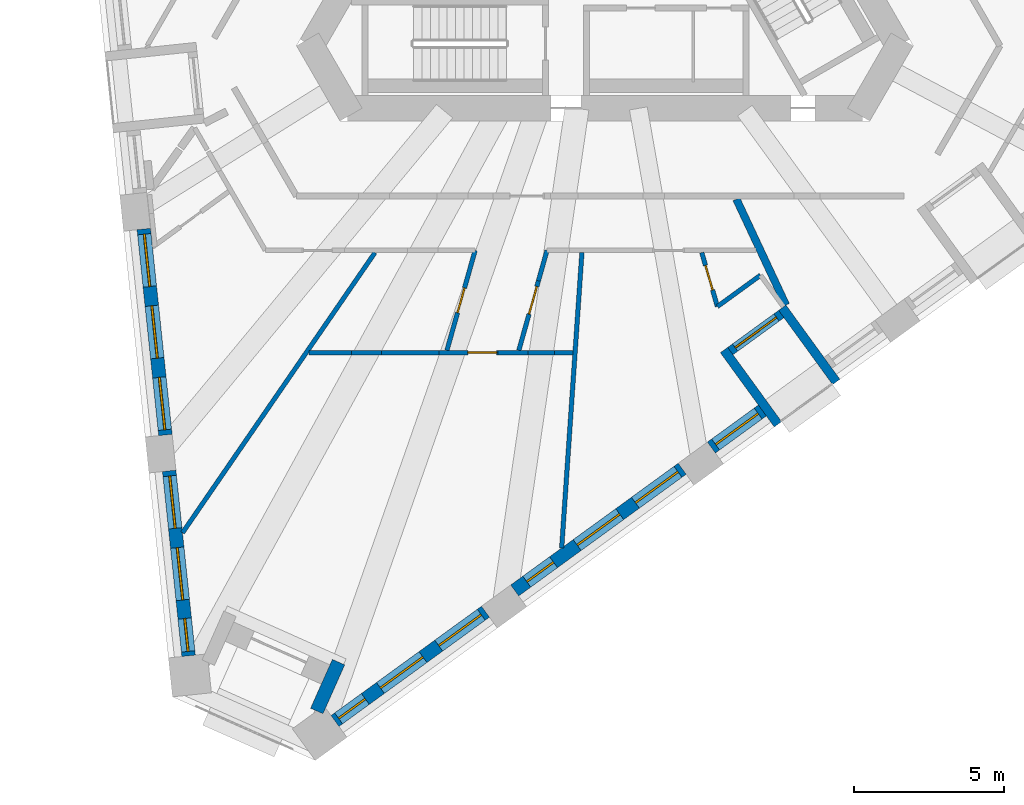
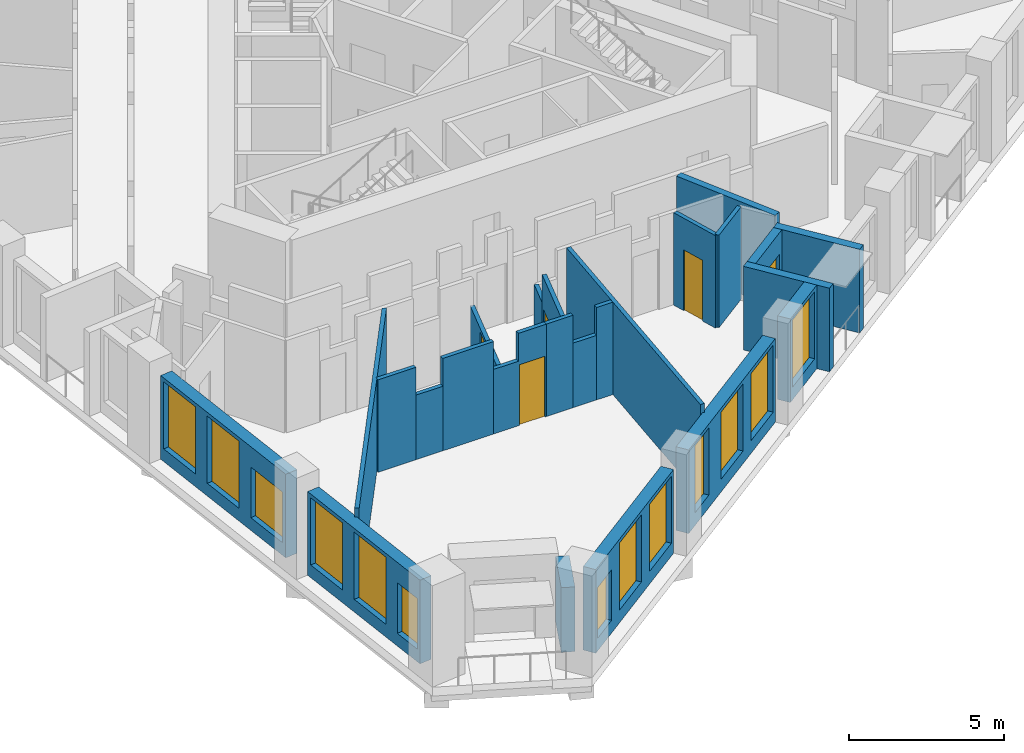
# One storey, part 2 of 14: 24 walls, 13 windows, 5 doors, 18 openings.
"""IFC4 building model written with IfcOpenShell, lengths in metres."""

import ifcopenshell
import ifcopenshell.guid

model = None  # the IFC model being written
_history = None  # IfcOwnerHistory: only IFC2X3 demands one
_inside = {}  # id of a spatial element -> (the spatial element, [elements in it])
_under = {}  # id of a project, library or spatial element -> (it, [spatial elements below it])
_declared = {}  # id of a project -> (the project, [libraries it declares])
_typed = {}  # id of a type object -> (the type object, [elements of that type])
_made_of = {}  # id of a material, layer set ... -> (it, [elements and type objects made of it])


def new_model(schema):
    """Start an empty IFC model of exactly this schema.

    Asked for "IFC4X3", IfcOpenShell would pick the latest addendum, in which some entities
    have other attributes; the version numbers below select the first issue.
    IFC2X3 requires an IfcOwnerHistory on every rooted entity: one is made here for all.
    """
    global model, _history
    if schema == "IFC4X3":
        model = ifcopenshell.file(schema_version=(4, 3, 0, 0))
    else:
        model = ifcopenshell.file(schema=schema)
    _inside.clear()
    _under.clear()
    _declared.clear()
    _typed.clear()
    _made_of.clear()
    _history = None
    if model.schema == "IFC2X3":
        org = make("IfcOrganization", Name="unknown")
        user = make(
            "IfcPersonAndOrganization",
            ThePerson=make("IfcPerson", FamilyName="unknown"),
            TheOrganization=org,
        )
        app = make(
            "IfcApplication",
            ApplicationDeveloper=org,
            Version="unknown",
            ApplicationFullName="unknown",
            ApplicationIdentifier="unknown",
        )
        _history = make(
            "IfcOwnerHistory",
            OwningUser=user,
            OwningApplication=app,
            ChangeAction="ADDED",
            CreationDate=0,
        )
    return model


def make(cls, **values):
    """One entity of the class cls with the attributes given. An attribute that is None is left unset."""
    return model.create_entity(
        cls, **{name: value for name, value in values.items() if value is not None}
    )


def rooted(cls, **values):
    """An entity with a GlobalId (a new one), such as an element, a storey or a relation."""
    return make(cls, GlobalId=ifcopenshell.guid.new(), OwnerHistory=_history, **values)


def si_unit(unit_type, name, prefix=None):
    """IfcSIUnit, for example si_unit("LENGTHUNIT", "METRE", prefix="MILLI")."""
    return make("IfcSIUnit", UnitType=unit_type, Prefix=prefix, Name=name)


def assignment(units):
    """IfcUnitAssignment: the units of a project."""
    return None if units is None else make("IfcUnitAssignment", Units=units)


def point(xyz):
    """IfcCartesianPoint."""
    return None if xyz is None else make("IfcCartesianPoint", Coordinates=xyz)


def direction(xyz):
    """IfcDirection."""
    return None if xyz is None else make("IfcDirection", DirectionRatios=xyz)


def frame(location, z_axis=None, x_axis=None):
    """IfcAxis2Placement3D, a coordinate frame: its origin and axes. An axis left out is left unset."""
    return make(
        "IfcAxis2Placement3D",
        Location=point(location),
        Axis=direction(z_axis),
        RefDirection=direction(x_axis),
    )


def frame_2d(location, x_axis=None):
    """IfcAxis2Placement2D, a coordinate frame in the plane: its origin and x axis."""
    return make(
        "IfcAxis2Placement2D", Location=point(location), RefDirection=direction(x_axis)
    )


def origin():
    """The frame at (0, 0, 0) with its axes left unset."""
    return frame((0.0, 0.0, 0.0))


def place(relative_to, where):
    """IfcLocalPlacement: puts the frame where relative to a parent placement (None: the world)."""
    return make(
        "IfcLocalPlacement", PlacementRelTo=relative_to, RelativePlacement=where
    )


def context(
    kind, dimensions, precision=None, world=None, true_north=None, identifier=None
):
    """IfcGeometricRepresentationContext, for example the 3D "Model" context."""
    return make(
        "IfcGeometricRepresentationContext",
        ContextIdentifier=identifier,
        ContextType=kind,
        CoordinateSpaceDimension=dimensions,
        Precision=precision,
        WorldCoordinateSystem=world,
        TrueNorth=true_north,
    )


def subcontext(parent, identifier, kind, view, scale=None):
    """IfcGeometricRepresentationSubContext, for example "Body" below "Model"."""
    return make(
        "IfcGeometricRepresentationSubContext",
        ContextIdentifier=identifier,
        ContextType=kind,
        ParentContext=parent,
        TargetScale=scale,
        TargetView=view,
    )


def project(units=None, contexts=None):
    """IfcProject with its units and contexts."""
    return rooted(
        "IfcProject",
        Name="project",
        RepresentationContexts=contexts,
        UnitsInContext=assignment(units),
    )


def spatial(cls, under=None, at=None, **own):
    """A site, building, storey or space (cls), placed at a placement, below another one or the project."""
    s = rooted(cls, ObjectPlacement=at, **own)
    if under is not None:
        _under.setdefault(under.id(), (under, []))[1].append(s)
    return s


def polyline(points):
    """IfcPolyline through the points."""
    return make("IfcPolyline", Points=[point(p) for p in points])


def profile(cls, at=None, kind="AREA", **sizes):
    """A parametric profile (cls). Its sizes go by their IFC names, for example OverallWidth=200.0."""
    return make(cls, ProfileType=kind, Position=at, **sizes)


def rectangle(**sizes):
    """IfcRectangleProfileDef."""
    return profile("IfcRectangleProfileDef", **sizes)


def outline(outer, holes=None, kind="AREA"):
    """IfcArbitraryClosedProfileDef: a profile drawn as a closed curve; with holes, ...WithVoids."""
    if holes is None:
        return make("IfcArbitraryClosedProfileDef", ProfileType=kind, OuterCurve=outer)
    return make(
        "IfcArbitraryProfileDefWithVoids",
        ProfileType=kind,
        OuterCurve=outer,
        InnerCurves=holes,
    )


def extrude(swept, where, along, depth):
    """IfcExtrudedAreaSolid: the profile swept, set in the frame where, extruded along a direction by depth."""
    return make(
        "IfcExtrudedAreaSolid",
        SweptArea=swept,
        Position=where,
        ExtrudedDirection=direction(along),
        Depth=depth,
    )


def shape(context_of_items, identifier, shape_type, items):
    """IfcShapeRepresentation: the items that make up one representation, for example the "Body"."""
    return make(
        "IfcShapeRepresentation",
        ContextOfItems=context_of_items,
        RepresentationIdentifier=identifier,
        RepresentationType=shape_type,
        Items=items,
    )


def material(Name=None, Category=None):
    """IfcMaterial."""
    return make("IfcMaterial", Name=Name, Category=Category)


def layer(
    of_material, thickness, ventilated=None, Name=None, Category=None, Priority=None
):
    """IfcMaterialLayer: one layer of a wall or slab, of a material (None: an air gap)."""
    return make(
        "IfcMaterialLayer",
        Material=of_material,
        LayerThickness=thickness,
        IsVentilated=ventilated,
        Name=Name,
        Category=Category,
        Priority=Priority,
    )


def layer_set(layers, Name=None):
    """IfcMaterialLayerSet."""
    return make("IfcMaterialLayerSet", MaterialLayers=layers, LayerSetName=Name)


def made_of(thing, what):
    """Note that an element or type object is made of a material, layer set ...; save() writes the relation."""
    if what is not None:
        _made_of.setdefault(what.id(), (what, []))[1].append(thing)
    return thing


def type_object(cls, material=None, **own):
    """A type object (cls), such as IfcWallType, which elements share."""
    return made_of(rooted(cls, **own), material)


def element(
    cls,
    number,
    at=None,
    inside=None,
    cuts=None,
    type_object=None,
    material=None,
    context=None,
    identifier="Body",
    shape_type=None,
    held_by="IfcProductDefinitionShape",
    body=None,
    shapes=None,
    **own,
):
    """One element of the class cls, such as IfcWall. Its Tag is "e" and its number.

    at: its placement. inside: the storey or other place that contains it. cuts: it is an
    opening in that element (IfcRelVoidsElement). A single representation is given by context,
    identifier, shape_type and body (its items); several are given by shapes. held_by: the class
    of the entity that holds the representations. save() writes the other relations.
    """
    e = rooted(cls, Tag="e%d" % number, ObjectPlacement=at, **own)
    if body is not None:
        shapes = [shape(context, identifier, shape_type, body)]
    if shapes is not None:
        e.Representation = make(held_by, Representations=shapes)
    if inside is not None:
        _inside.setdefault(inside.id(), (inside, []))[1].append(e)
    if cuts is not None:
        rooted(
            "IfcRelVoidsElement", RelatingBuildingElement=cuts, RelatedOpeningElement=e
        )
    if type_object is not None:
        _typed.setdefault(type_object.id(), (type_object, []))[1].append(e)
    return made_of(e, material)


def fill(opening, filler):
    """IfcRelFillsElement: the door or window that sits in an opening."""
    return rooted(
        "IfcRelFillsElement",
        RelatingOpeningElement=opening,
        RelatedBuildingElement=filler,
    )


def aggregate(whole, parts):
    """IfcRelAggregates: a whole, such as a stair, and the parts it consists of."""
    return rooted("IfcRelAggregates", RelatingObject=whole, RelatedObjects=parts)


def save(model, path):
    """Write the relations noted so far, then the file.

    IfcRelAggregates (storeys below a building ...), IfcRelContainedInSpatialStructure (elements
    in a storey), IfcRelDefinesByType, IfcRelAssociatesMaterial and IfcRelDeclares: one each for
    every whole, place, type object, material and project.
    """
    for whole, parts in _under.values():
        aggregate(whole, parts)
    for where, things in _inside.values():
        rooted(
            "IfcRelContainedInSpatialStructure",
            RelatedElements=things,
            RelatingStructure=where,
        )
    for kind, things in _typed.values():
        rooted("IfcRelDefinesByType", RelatedObjects=things, RelatingType=kind)
    for what, things in _made_of.values():
        rooted("IfcRelAssociatesMaterial", RelatedObjects=things, RelatingMaterial=what)
    for by, libraries in _declared.values():
        rooted("IfcRelDeclares", RelatingContext=by, RelatedDefinitions=libraries)
    model.write(path)


model = new_model("IFC4")

# Units and contexts
model_context = context("Model", 3, precision=1e-05, world=origin(), true_north=direction((0.0, 1.0)))
body_context = subcontext(model_context, "Body", "Model", "MODEL_VIEW")
ifc_project = project(units=[si_unit("LENGTHUNIT", "METRE"), si_unit("AREAUNIT", "SQUARE_METRE"), si_unit("VOLUMEUNIT", "CUBIC_METRE"), si_unit("PLANEANGLEUNIT", "RADIAN"), si_unit("MASSUNIT", "GRAM", prefix="KILO")], contexts=[model_context])

# Site, building, storey
site_placement = place(None, origin())
site = spatial("IfcSite", under=ifc_project, at=site_placement, CompositionType="ELEMENT")
building_placement = place(site_placement, origin())
building = spatial("IfcBuilding", under=site, at=building_placement, Name="Tramontana Tower", CompositionType="ELEMENT")
storey_placement = place(building_placement, frame((0.0, 0.0, 178.800048828125)))
storey = spatial("IfcBuildingStorey", under=building, at=storey_placement, Name="L41", CompositionType="ELEMENT", Elevation=178.800048828125)

# Wall, openings, windows
ifc_material_1 = material(Name="Precast concrete 60 MPa", Category="concrete")
ifc_layer_1 = layer(ifc_material_1, 0.449951171875)
ifc_layer_set_1 = layer_set([ifc_layer_1], Name="Precast concrete 60 MPa, 450 mm")
wall_type_1 = type_object("IfcWallType", Name="EW1 Stone-faced precast wall 450", PredefinedType="SOLIDWALL", material=ifc_layer_set_1)
wall_1_placement = place(storey_placement, frame((-15.327880859375, -10.341796875, 0.0), z_axis=(0.0, 0.0, 1.0), x_axis=(0.104531531326, -0.994521572898, 0.0)))
wall_1 = element("IfcWall", 1, at=wall_1_placement, inside=storey, type_object=wall_type_1, Name="External wall L41 face 0 bay 5", PredefinedType="SOLIDWALL", context=body_context, shape_type="SweptSolid", body=[
    extrude(rectangle(XDim=6.8828125, YDim=0.449951171875, at=frame_2d((3.44140625, 0.0))), origin(), (0.0, 0.0, 1.0), 3.300048828125),
])
opening_1_placement = place(wall_1_placement, frame((0.172119140625, 0.0, 0.5)))
opening_1 = element("IfcOpeningElement", 2, at=opening_1_placement, cuts=wall_1, Name="Opening M2", PredefinedType="OPENING", context=body_context, shape_type="SweptSolid", body=[
    extrude(rectangle(XDim=1.75, YDim=2.64990234375, at=frame_2d((0.875, 1.324951171875))), frame((0.0, 0.23486328125, 0.0), z_axis=(0.0, -1.0, 0.0), x_axis=(1.0, 0.0, 0.0)), (0.0, 0.0, 1.0), 0.469970703125),
])
opening_2_placement = place(wall_1_placement, frame((2.56640625, 0.0, 0.5)))
opening_2 = element("IfcOpeningElement", 3, at=opening_2_placement, cuts=wall_1, Name="Opening M2", PredefinedType="OPENING", context=body_context, shape_type="SweptSolid", body=[
    extrude(rectangle(XDim=1.75, YDim=2.64990234375, at=frame_2d((0.875, 1.324951171875))), frame((0.0, 0.23486328125, 0.0), z_axis=(0.0, -1.0, 0.0), x_axis=(1.0, 0.0, 0.0)), (0.0, 0.0, 1.0), 0.469970703125),
])
opening_3_placement = place(wall_1_placement, frame((4.960693359375, 0.0, 0.5)))
opening_3 = element("IfcOpeningElement", 4, at=opening_3_placement, cuts=wall_1, Name="Opening M2L", PredefinedType="OPENING", context=body_context, shape_type="SweptSolid", body=[
    extrude(rectangle(XDim=1.75, YDim=2.0, at=frame_2d((0.875, 1.0))), frame((0.0, 0.23486328125, 0.0), z_axis=(0.0, -1.0, 0.0), x_axis=(1.0, 0.0, 0.0)), (0.0, 0.0, 1.0), 0.469970703125),
])
ifc_material_2 = material(Name="Aluminum frame, double glazing unit", Category="aluminium")
window_type_1 = type_object("IfcWindowType", Name="M2 Window 1.75 x 2.65", PartitioningType="SINGLE_PANEL", PredefinedType="WINDOW", material=ifc_material_2)
window_1_placement = place(opening_1_placement, origin())
window_1 = element("IfcWindow", 5, at=window_1_placement, inside=storey, type_object=window_type_1, Name="Window M2 L41 face 0 module 13", OverallHeight=2.64990234375, OverallWidth=1.75, PartitioningType="SINGLE_PANEL", PredefinedType="WINDOW", context=body_context, shape_type="SweptSolid", body=[
    extrude(rectangle(XDim=1.75, YDim=2.64990234375, at=frame_2d((0.875, 1.324951171875))), frame((0.0, 0.030029296875, 0.0), z_axis=(0.0, -1.0, 0.0), x_axis=(1.0, 0.0, 0.0)), (0.0, 0.0, 1.0), 0.06005859375),
])
fill(opening_1, window_1)
window_2_placement = place(opening_2_placement, origin())
window_2 = element("IfcWindow", 6, at=window_2_placement, inside=storey, type_object=window_type_1, Name="Window M2 L41 face 0 module 14", OverallHeight=2.64990234375, OverallWidth=1.75, PartitioningType="SINGLE_PANEL", PredefinedType="WINDOW", context=body_context, shape_type="SweptSolid", body=[
    extrude(rectangle(XDim=1.75, YDim=2.64990234375, at=frame_2d((0.875, 1.324951171875))), frame((0.0, 0.030029296875, 0.0), z_axis=(0.0, -1.0, 0.0), x_axis=(1.0, 0.0, 0.0)), (0.0, 0.0, 1.0), 0.06005859375),
])
fill(opening_2, window_2)
ifc_material_3 = material(Name="Aluminum frame, double glazing unit", Category="aluminium")
window_type_2 = type_object("IfcWindowType", Name="M2L Window 1.75 x 2", PartitioningType="SINGLE_PANEL", PredefinedType="WINDOW", material=ifc_material_3)
window_3_placement = place(opening_3_placement, origin())
window_3 = element("IfcWindow", 7, at=window_3_placement, inside=storey, type_object=window_type_2, Name="Window M2L L41 face 0 module 15", OverallHeight=2.0, OverallWidth=1.75, PartitioningType="SINGLE_PANEL", PredefinedType="WINDOW", context=body_context, shape_type="SweptSolid", body=[
    extrude(rectangle(XDim=1.75, YDim=2.0, at=frame_2d((0.875, 1.0))), frame((0.0, 0.030029296875, 0.0), z_axis=(0.0, -1.0, 0.0), x_axis=(1.0, 0.0, 0.0)), (0.0, 0.0, 1.0), 0.06005859375),
])
fill(opening_3, window_3)

wall_2_placement = place(storey_placement, frame((-14.483154296875, -18.38037109375, 0.0), z_axis=(0.0, 0.0, 1.0), x_axis=(0.104557348575, -0.994518858976, 0.0)))
wall_2 = element("IfcWall", 8, at=wall_2_placement, inside=storey, type_object=wall_type_1, Name="External wall L41 face 0 bay 6", PredefinedType="SOLIDWALL", context=body_context, shape_type="SweptSolid", body=[
    extrude(rectangle(XDim=6.18310546875, YDim=0.449951171875, at=frame_2d((3.091552734375, 0.0))), origin(), (0.0, 0.0, 1.0), 3.300048828125),
])
opening_4_placement = place(wall_2_placement, frame((0.172119140625, 0.0, 0.5)))
opening_4 = element("IfcOpeningElement", 9, at=opening_4_placement, cuts=wall_2, Name="Opening M2", PredefinedType="OPENING", context=body_context, shape_type="SweptSolid", body=[
    extrude(rectangle(XDim=1.75, YDim=2.64990234375, at=frame_2d((0.875, 1.324951171875))), frame((0.0, 0.23486328125, 0.0), z_axis=(0.0, -1.0, 0.0), x_axis=(1.0, 0.0, 0.0)), (0.0, 0.0, 1.0), 0.469970703125),
])
opening_5_placement = place(wall_2_placement, frame((2.56640625, 0.0, 0.5)))
opening_5 = element("IfcOpeningElement", 10, at=opening_5_placement, cuts=wall_2, Name="Opening M2", PredefinedType="OPENING", context=body_context, shape_type="SweptSolid", body=[
    extrude(rectangle(XDim=1.75, YDim=2.64990234375, at=frame_2d((0.875, 1.324951171875))), frame((0.0, 0.23486328125, 0.0), z_axis=(0.0, -1.0, 0.0), x_axis=(1.0, 0.0, 0.0)), (0.0, 0.0, 1.0), 0.469970703125),
])
opening_6_placement = place(wall_2_placement, frame((4.935791015625, 0.0, 0.5)))
opening_6 = element("IfcOpeningElement", 11, at=opening_6_placement, cuts=wall_2, Name="Opening N2L", PredefinedType="OPENING", context=body_context, shape_type="SweptSolid", body=[
    extrude(rectangle(XDim=1.10009765625, YDim=2.0, at=frame_2d((0.550048828125, 1.0))), frame((0.0, 0.23486328125, 0.0), z_axis=(0.0, -1.0, 0.0), x_axis=(1.0, 0.0, 0.0)), (0.0, 0.0, 1.0), 0.469970703125),
])
window_4_placement = place(opening_4_placement, origin())
window_4 = element("IfcWindow", 12, at=window_4_placement, inside=storey, type_object=window_type_1, Name="Window M2 L41 face 0 module 16", OverallHeight=2.64990234375, OverallWidth=1.75, PartitioningType="SINGLE_PANEL", PredefinedType="WINDOW", context=body_context, shape_type="SweptSolid", body=[
    extrude(rectangle(XDim=1.75, YDim=2.64990234375, at=frame_2d((0.875, 1.324951171875))), frame((0.0, 0.030029296875, 0.0), z_axis=(0.0, -1.0, 0.0), x_axis=(1.0, 0.0, 0.0)), (0.0, 0.0, 1.0), 0.06005859375),
])
fill(opening_4, window_4)
window_5_placement = place(opening_5_placement, origin())
window_5 = element("IfcWindow", 13, at=window_5_placement, inside=storey, type_object=window_type_1, Name="Window M2 L41 face 0 module 17", OverallHeight=2.64990234375, OverallWidth=1.75, PartitioningType="SINGLE_PANEL", PredefinedType="WINDOW", context=body_context, shape_type="SweptSolid", body=[
    extrude(rectangle(XDim=1.75, YDim=2.64990234375, at=frame_2d((0.875, 1.324951171875))), frame((0.0, 0.030029296875, 0.0), z_axis=(0.0, -1.0, 0.0), x_axis=(1.0, 0.0, 0.0)), (0.0, 0.0, 1.0), 0.06005859375),
])
fill(opening_5, window_5)
ifc_material_4 = material(Name="Aluminum frame, double glazing unit", Category="aluminium")
window_type_3 = type_object("IfcWindowType", Name="N2L Window 1.1 x 2", PartitioningType="SINGLE_PANEL", PredefinedType="WINDOW", material=ifc_material_4)
window_6_placement = place(opening_6_placement, origin())
window_6 = element("IfcWindow", 14, at=window_6_placement, inside=storey, type_object=window_type_3, Name="Window N2L L41 face 0 module 18", OverallHeight=2.0, OverallWidth=1.10009765625, PartitioningType="SINGLE_PANEL", PredefinedType="WINDOW", context=body_context, shape_type="SweptSolid", body=[
    extrude(rectangle(XDim=1.10009765625, YDim=2.0, at=frame_2d((0.550048828125, 1.0))), frame((0.0, 0.030029296875, 0.0), z_axis=(0.0, -1.0, 0.0), x_axis=(1.0, 0.0, 0.0)), (0.0, 0.0, 1.0), 0.06005859375),
])
fill(opening_6, window_6)

wall_3_placement = place(storey_placement, frame((-8.97021484375, -26.696044921875, 0.0), z_axis=(0.0, 0.0, 1.0), x_axis=(0.809024567544, 0.587774828578, 0.0)))
wall_3 = element("IfcWall", 15, at=wall_3_placement, inside=storey, type_object=wall_type_1, Name="External wall L41 face 1 bay 1", PredefinedType="SOLIDWALL", context=body_context, shape_type="SweptSolid", body=[
    extrude(rectangle(XDim=6.1826171875, YDim=0.449951171875, at=frame_2d((3.09130859375, 0.0))), origin(), (0.0, 0.0, 1.0), 3.300048828125),
])
opening_7_placement = place(wall_3_placement, frame((0.147216796875, 0.0, 0.5)))
opening_7 = element("IfcOpeningElement", 16, at=opening_7_placement, cuts=wall_3, Name="Opening N2L", PredefinedType="OPENING", context=body_context, shape_type="SweptSolid", body=[
    extrude(rectangle(XDim=1.10009765625, YDim=2.0, at=frame_2d((0.550048828125, 1.0))), frame((0.0, 0.23486328125, 0.0), z_axis=(0.0, -1.0, 0.0), x_axis=(1.0, 0.0, 0.0)), (0.0, 0.0, 1.0), 0.469970703125),
])
opening_8_placement = place(wall_3_placement, frame((1.866455078125, 0.0, 0.5)))
opening_8 = element("IfcOpeningElement", 17, at=opening_8_placement, cuts=wall_3, Name="Opening M2", PredefinedType="OPENING", context=body_context, shape_type="SweptSolid", body=[
    extrude(rectangle(XDim=1.75, YDim=2.64990234375, at=frame_2d((0.875, 1.324951171875))), frame((0.0, 0.23486328125, 0.0), z_axis=(0.0, -1.0, 0.0), x_axis=(1.0, 0.0, 0.0)), (0.0, 0.0, 1.0), 0.469970703125),
])
opening_9_placement = place(wall_3_placement, frame((4.2607421875, 0.0, 0.5)))
opening_9 = element("IfcOpeningElement", 18, at=opening_9_placement, cuts=wall_3, Name="Opening M2", PredefinedType="OPENING", context=body_context, shape_type="SweptSolid", body=[
    extrude(rectangle(XDim=1.75, YDim=2.64990234375, at=frame_2d((0.875, 1.324951171875))), frame((0.0, 0.23486328125, 0.0), z_axis=(0.0, -1.0, 0.0), x_axis=(1.0, 0.0, 0.0)), (0.0, 0.0, 1.0), 0.469970703125),
])
window_7_placement = place(opening_8_placement, origin())
window_7 = element("IfcWindow", 19, at=window_7_placement, inside=storey, type_object=window_type_1, Name="Window M2 L41 face 1 module 2", OverallHeight=2.64990234375, OverallWidth=1.75, PartitioningType="SINGLE_PANEL", PredefinedType="WINDOW", context=body_context, shape_type="SweptSolid", body=[
    extrude(rectangle(XDim=1.75, YDim=2.64990234375, at=frame_2d((0.875, 1.324951171875))), frame((0.0, 0.030029296875, 0.0), z_axis=(0.0, -1.0, 0.0), x_axis=(1.0, 0.0, 0.0)), (0.0, 0.0, 1.0), 0.06005859375),
])
fill(opening_8, window_7)
window_8_placement = place(opening_9_placement, origin())
window_8 = element("IfcWindow", 20, at=window_8_placement, inside=storey, type_object=window_type_1, Name="Window M2 L41 face 1 module 3", OverallHeight=2.64990234375, OverallWidth=1.75, PartitioningType="SINGLE_PANEL", PredefinedType="WINDOW", context=body_context, shape_type="SweptSolid", body=[
    extrude(rectangle(XDim=1.75, YDim=2.64990234375, at=frame_2d((0.875, 1.324951171875))), frame((0.0, 0.030029296875, 0.0), z_axis=(0.0, -1.0, 0.0), x_axis=(1.0, 0.0, 0.0)), (0.0, 0.0, 1.0), 0.06005859375),
])
fill(opening_9, window_8)
window_9_placement = place(opening_7_placement, origin())
window_9 = element("IfcWindow", 21, at=window_9_placement, inside=storey, type_object=window_type_3, Name="Window N2L L41 face 1 module 1", OverallHeight=2.0, OverallWidth=1.10009765625, PartitioningType="SINGLE_PANEL", PredefinedType="WINDOW", context=body_context, shape_type="SweptSolid", body=[
    extrude(rectangle(XDim=1.10009765625, YDim=2.0, at=frame_2d((0.550048828125, 1.0))), frame((0.0, 0.030029296875, 0.0), z_axis=(0.0, -1.0, 0.0), x_axis=(1.0, 0.0, 0.0)), (0.0, 0.0, 1.0), 0.06005859375),
])
fill(opening_7, window_9)

wall_4_placement = place(storey_placement, frame((-2.997314453125, -22.3564453125, 0.0), z_axis=(0.0, 0.0, 1.0), x_axis=(0.809016690404, 0.587785670672, 0.0)))
wall_4 = element("IfcWall", 22, at=wall_4_placement, inside=storey, type_object=wall_type_1, Name="External wall L41 face 1 bay 2", PredefinedType="SOLIDWALL", context=body_context, shape_type="SweptSolid", body=[
    extrude(rectangle(XDim=6.8828125, YDim=0.449951171875, at=frame_2d((3.44140625, 0.0))), origin(), (0.0, 0.0, 1.0), 3.300048828125),
])
opening_10_placement = place(wall_4_placement, frame((0.4970703125, 0.0, 0.5)))
opening_10 = element("IfcOpeningElement", 23, at=opening_10_placement, cuts=wall_4, Name="Opening N2", PredefinedType="OPENING", context=body_context, shape_type="SweptSolid", body=[
    extrude(rectangle(XDim=1.10009765625, YDim=2.64990234375, at=frame_2d((0.550048828125, 1.324951171875))), frame((0.0, 0.23486328125, 0.0), z_axis=(0.0, -1.0, 0.0), x_axis=(1.0, 0.0, 0.0)), (0.0, 0.0, 1.0), 0.469970703125),
])
opening_11_placement = place(wall_4_placement, frame((2.56640625, 0.0, 0.5)))
opening_11 = element("IfcOpeningElement", 24, at=opening_11_placement, cuts=wall_4, Name="Opening M2", PredefinedType="OPENING", context=body_context, shape_type="SweptSolid", body=[
    extrude(rectangle(XDim=1.75, YDim=2.64990234375, at=frame_2d((0.875, 1.324951171875))), frame((0.0, 0.23486328125, 0.0), z_axis=(0.0, -1.0, 0.0), x_axis=(1.0, 0.0, 0.0)), (0.0, 0.0, 1.0), 0.469970703125),
])
opening_12_placement = place(wall_4_placement, frame((4.960693359375, 0.0, 0.5)))
opening_12 = element("IfcOpeningElement", 25, at=opening_12_placement, cuts=wall_4, Name="Opening M2", PredefinedType="OPENING", context=body_context, shape_type="SweptSolid", body=[
    extrude(rectangle(XDim=1.75, YDim=2.64990234375, at=frame_2d((0.875, 1.324951171875))), frame((0.0, 0.23486328125, 0.0), z_axis=(0.0, -1.0, 0.0), x_axis=(1.0, 0.0, 0.0)), (0.0, 0.0, 1.0), 0.469970703125),
])
window_10_placement = place(opening_11_placement, origin())
window_10 = element("IfcWindow", 26, at=window_10_placement, inside=storey, type_object=window_type_1, Name="Window M2 L41 face 1 module 5", OverallHeight=2.64990234375, OverallWidth=1.75, PartitioningType="SINGLE_PANEL", PredefinedType="WINDOW", context=body_context, shape_type="SweptSolid", body=[
    extrude(rectangle(XDim=1.75, YDim=2.64990234375, at=frame_2d((0.875, 1.324951171875))), frame((0.0, 0.030029296875, 0.0), z_axis=(0.0, -1.0, 0.0), x_axis=(1.0, 0.0, 0.0)), (0.0, 0.0, 1.0), 0.06005859375),
])
fill(opening_11, window_10)
window_11_placement = place(opening_12_placement, origin())
window_11 = element("IfcWindow", 27, at=window_11_placement, inside=storey, type_object=window_type_1, Name="Window M2 L41 face 1 module 6", OverallHeight=2.64990234375, OverallWidth=1.75, PartitioningType="SINGLE_PANEL", PredefinedType="WINDOW", context=body_context, shape_type="SweptSolid", body=[
    extrude(rectangle(XDim=1.75, YDim=2.64990234375, at=frame_2d((0.875, 1.324951171875))), frame((0.0, 0.030029296875, 0.0), z_axis=(0.0, -1.0, 0.0), x_axis=(1.0, 0.0, 0.0)), (0.0, 0.0, 1.0), 0.06005859375),
])
fill(opening_12, window_11)
ifc_material_5 = material(Name="Aluminum frame, double glazing unit", Category="aluminium")
window_type_4 = type_object("IfcWindowType", Name="N2 Window 1.1 x 2.65", PartitioningType="SINGLE_PANEL", PredefinedType="WINDOW", material=ifc_material_5)
window_12_placement = place(opening_10_placement, origin())
window_12 = element("IfcWindow", 28, at=window_12_placement, inside=storey, type_object=window_type_4, Name="Window N2 L41 face 1 module 4", OverallHeight=2.64990234375, OverallWidth=1.10009765625, PartitioningType="SINGLE_PANEL", PredefinedType="WINDOW", context=body_context, shape_type="SweptSolid", body=[
    extrude(rectangle(XDim=1.10009765625, YDim=2.64990234375, at=frame_2d((0.550048828125, 1.324951171875))), frame((0.0, 0.030029296875, 0.0), z_axis=(0.0, -1.0, 0.0), x_axis=(1.0, 0.0, 0.0)), (0.0, 0.0, 1.0), 0.06005859375),
])
fill(opening_10, window_12)

# Wall, opening, window
wall_5_placement = place(storey_placement, frame((3.541748046875, -17.60546875, 0.0), z_axis=(0.0, 0.0, 1.0), x_axis=(0.809028366311, 0.587769599847, 0.0)))
wall_5 = element("IfcWall", 29, at=wall_5_placement, inside=storey, type_object=wall_type_1, Name="External wall L41 face 1 bay 3", PredefinedType="SOLIDWALL", context=body_context, shape_type="SweptSolid", body=[
    extrude(rectangle(XDim=2.09423828125, YDim=0.449951171875, at=frame_2d((1.047119140625, 0.0))), origin(), (0.0, 0.0, 1.0), 3.300048828125),
])
opening_13_placement = place(wall_5_placement, frame((0.172119140625, 0.0, 0.5)))
opening_13 = element("IfcOpeningElement", 30, at=opening_13_placement, cuts=wall_5, Name="Opening M2", PredefinedType="OPENING", context=body_context, shape_type="SweptSolid", body=[
    extrude(rectangle(XDim=1.75, YDim=2.64990234375, at=frame_2d((0.875, 1.324951171875))), frame((0.0, 0.23486328125, 0.0), z_axis=(0.0, -1.0, 0.0), x_axis=(1.0, 0.0, 0.0)), (0.0, 0.0, 1.0), 0.469970703125),
])
window_13_placement = place(opening_13_placement, origin())
window_13 = element("IfcWindow", 31, at=window_13_placement, inside=storey, type_object=window_type_1, Name="Window M2 L41 face 1 module 7", OverallHeight=2.64990234375, OverallWidth=1.75, PartitioningType="SINGLE_PANEL", PredefinedType="WINDOW", context=body_context, shape_type="SweptSolid", body=[
    extrude(rectangle(XDim=1.75, YDim=2.64990234375, at=frame_2d((0.875, 1.324951171875))), frame((0.0, 0.030029296875, 0.0), z_axis=(0.0, -1.0, 0.0), x_axis=(1.0, 0.0, 0.0)), (0.0, 0.0, 1.0), 0.06005859375),
])
fill(opening_13, window_13)

# Wall
wall_6_placement = place(storey_placement, frame((-9.575927734375, -26.363525390625, 0.0), z_axis=(0.0, 0.0, 1.0), x_axis=(0.406749543613, 0.913539713844, 0.0)))
element("IfcWall", 32, at=wall_6_placement, inside=storey, type_object=wall_type_1, Name="Corner loggia side wall L41 K41l", PredefinedType="SOLIDWALL", context=body_context, shape_type="SweptSolid", body=[
    extrude(rectangle(XDim=1.779052734375, YDim=0.449951171875, at=frame_2d((0.8896484375, 0.0))), origin(), (0.0, 0.0, 1.0), 2.550048828125),
])

# Wall, opening, door
ifc_material_6 = material(Name="Precast concrete 60 MPa", Category="concrete")
ifc_layer_2 = layer(ifc_material_6, 0.300048828125)
ifc_layer_set_2 = layer_set([ifc_layer_2], Name="LW1 Stone-faced loggia wall 300")
wall_type_2 = type_object("IfcWallType", Name="LW1 Stone-faced loggia wall 300", PredefinedType="SOLIDWALL", material=ifc_layer_set_2)
wall_7_placement = place(storey_placement, frame((4.1708984375, -14.398193359375, 0.0), z_axis=(0.0, 0.0, 1.0), x_axis=(0.809028366311, 0.587769599847, 0.0)))
wall_7 = element("IfcWall", 33, at=wall_7_placement, inside=storey, type_object=wall_type_2, Name="Loggia wall L41 G4S1.7", PredefinedType="SOLIDWALL", context=body_context, shape_type="SweptSolid", body=[
    extrude(rectangle(XDim=2.09423828125, YDim=0.300048828125, at=frame_2d((1.047119140625, 0.0))), origin(), (0.0, 0.0, 1.0), 3.300048828125),
])
opening_14_placement = place(wall_7_placement, frame((0.197265625, 0.0, 0.0)))
opening_14 = element("IfcOpeningElement", 34, at=opening_14_placement, cuts=wall_7, Name="Opening BD-4S1-07", PredefinedType="OPENING", context=body_context, shape_type="SweptSolid", body=[
    extrude(rectangle(XDim=1.699951171875, YDim=2.449951171875, at=frame_2d((0.85009765625, 1.22509765625))), frame((0.0, 0.159912109375, 0.0), z_axis=(0.0, -1.0, 0.0), x_axis=(1.0, 0.0, 0.0)), (0.0, 0.0, 1.0), 0.320068359375),
])
ifc_material_7 = material(Name="Aluminum frame, double glazing unit", Category="aluminium")
door_type_1 = type_object("IfcDoorType", Name="BD2 Sliding door 1.7 x 2.45", OperationType="SLIDING_TO_LEFT", PredefinedType="DOOR", material=ifc_material_7)
door_1_placement = place(opening_14_placement, origin())
door_1 = element("IfcDoor", 35, at=door_1_placement, inside=storey, type_object=door_type_1, Name="Loggia door L41 G4S1.7", OperationType="SLIDING_TO_LEFT", OverallHeight=2.449951171875, OverallWidth=1.699951171875, PredefinedType="DOOR", context=body_context, shape_type="SweptSolid", body=[
    extrude(rectangle(XDim=1.699951171875, YDim=2.449951171875, at=frame_2d((0.85009765625, 1.22509765625))), frame((0.0, 0.02490234375, 0.0), z_axis=(0.0, -1.0, 0.0), x_axis=(1.0, 0.0, 0.0)), (0.0, 0.0, 1.0), 0.050048828125),
])
fill(opening_14, door_1)

# Walls
for number, where, z_axis, x_axis, name in (
    (36, (5.754150390625, -16.83251953125, 0.0), (0.0, 0.0, 1.0), (-0.587776590479, 0.80902328748, 0.0), "Loggia return L41 G4S1.7a"),
    (37, (7.691162109375, -15.425048828125, 0.0), (0.0, 0.0, 1.0), (-0.587776590479, 0.80902328748, 0.0), "Loggia return L41 G4S1.7b"),
):
    element("IfcWall", number, at=place(storey_placement, frame(where, z_axis=z_axis, x_axis=x_axis)), inside=storey, type_object=wall_type_2, Name=name, PredefinedType="SOLIDWALL", context=body_context, shape_type="SweptSolid", body=[
        extrude(rectangle(XDim=3.050048828125, YDim=0.300048828125, at=frame_2d((1.52490234375, 0.0))), origin(), (0.0, 0.0, 1.0), 3.300048828125),
    ])
ifc_material_8 = material(Name="Gypsum board partition")
ifc_layer_3 = layer(ifc_material_8, 0.14990234375)
ifc_layer_set_3 = layer_set([ifc_layer_3], Name="PARTITION 150")
wall_type_3 = type_object("IfcWallType", Name="PARTITION 150", PredefinedType="PARTITIONING", material=ifc_layer_set_3)
wall_8_placement = place(storey_placement, frame((-14.040283203125, -20.439697265625, 0.0), z_axis=(0.0, 0.0, 1.0), x_axis=(0.566203282816, 0.824265638328, 0.0)))
element("IfcWall", 38, at=wall_8_placement, inside=storey, type_object=wall_type_3, Name="Wall v41-pw09", PredefinedType="PARTITIONING", context=body_context, shape_type="SweptSolid", body=[
    extrude(rectangle(XDim=11.300537109375, YDim=0.14990234375, at=frame_2d((5.650390625, 0.0))), origin(), (0.0, 0.0, 1.0), 3.64990234375),
])

# Wall, opening, door
wall_9_placement = place(storey_placement, frame((-5.24951171875, -14.375, 0.0), z_axis=(0.0, 0.0, 1.0), x_axis=(0.271508840807, 0.96243594559, 0.0)))
wall_9 = element("IfcWall", 39, at=wall_9_placement, inside=storey, type_object=wall_type_3, Name="Wall v41-pw21-0", PredefinedType="PARTITIONING", context=body_context, shape_type="SweptSolid", body=[
    extrude(rectangle(XDim=3.454833984375, YDim=0.14990234375, at=frame_2d((1.7275390625, 0.0))), origin(), (0.0, 0.0, 1.0), 2.550048828125),
])
opening_15_placement = place(wall_9_placement, frame((1.30224609375, 0.0, 0.0)))
opening_15 = element("IfcOpeningElement", 40, at=opening_15_placement, cuts=wall_9, Name="Opening B4B-09", PredefinedType="OPENING", context=body_context, shape_type="SweptSolid", body=[
    extrude(rectangle(XDim=0.85009765625, YDim=2.39990234375, at=frame_2d((0.425048828125, 1.199951171875))), frame((0.0, 0.0849609375, 0.0), z_axis=(0.0, -1.0, 0.0), x_axis=(1.0, 0.0, 0.0)), (0.0, 0.0, 1.0), 0.169921875),
])
ifc_material_9 = material(Name="Painted timber", Category="wood")
door_type_2 = type_object("IfcDoorType", Name="DOOR BATH 850", OperationType="SINGLE_SWING_LEFT", PredefinedType="DOOR", material=ifc_material_9)
door_2_placement = place(opening_15_placement, origin())
door_2 = element("IfcDoor", 41, at=door_2_placement, inside=storey, type_object=door_type_2, Name="Door B4B-09", OperationType="SINGLE_SWING_LEFT", OverallHeight=2.39990234375, OverallWidth=0.85009765625, PredefinedType="DOOR", context=body_context, shape_type="SweptSolid", body=[
    extrude(rectangle(XDim=0.85009765625, YDim=2.39990234375, at=frame_2d((0.425048828125, 1.199951171875))), frame((0.0, 0.02490234375, 0.0), z_axis=(0.0, -1.0, 0.0), x_axis=(1.0, 0.0, 0.0)), (0.0, 0.0, 1.0), 0.050048828125),
])
fill(opening_15, door_2)

# Wall
wall_10_placement = place(storey_placement, frame((-1.921875, -11.050048828125, 0.0), z_axis=(0.0, 0.0, 1.0), x_axis=(-0.271416161004, -0.96246208629, 0.0)))
element("IfcWall", 42, at=wall_10_placement, inside=storey, type_object=wall_type_3, Name="Wall v41-pw24-0", PredefinedType="PARTITIONING", context=body_context, shape_type="SweptSolid", body=[
    extrude(rectangle(XDim=1.05419921875, YDim=0.14990234375, at=frame_2d((0.527099609375, 0.0))), origin(), (0.0, 0.0, 1.0), 2.550048828125),
])

# Wall, opening, door
wall_11_placement = place(storey_placement, frame((-2.2080078125, -12.064697265625, 0.0), z_axis=(0.0, 0.0, 1.0), x_axis=(-0.271455333638, -0.962451038671, 0.0)))
wall_11 = element("IfcWall", 43, at=wall_11_placement, inside=storey, type_object=wall_type_3, Name="Wall v41-pw24-1", PredefinedType="PARTITIONING", context=body_context, shape_type="SweptSolid", body=[
    extrude(rectangle(XDim=2.400390625, YDim=0.14990234375, at=frame_2d((1.2001953125, 0.0))), origin(), (0.0, 0.0, 1.0), 3.64990234375),
])
opening_16_placement = place(wall_11_placement, frame((0.197998046875, 0.0, 0.0)))
opening_16 = element("IfcOpeningElement", 44, at=opening_16_placement, cuts=wall_11, Name="Opening B4B-08", PredefinedType="OPENING", context=body_context, shape_type="SweptSolid", body=[
    extrude(rectangle(XDim=0.949951171875, YDim=2.39990234375, at=frame_2d((0.47509765625, 1.199951171875))), frame((0.0, 0.0849609375, 0.0), z_axis=(0.0, -1.0, 0.0), x_axis=(1.0, 0.0, 0.0)), (0.0, 0.0, 1.0), 0.169921875),
])
ifc_material_10 = material(Name="Painted timber", Category="wood")
door_type_3 = type_object("IfcDoorType", Name="DOOR ROOM 950", OperationType="SINGLE_SWING_LEFT", PredefinedType="DOOR", material=ifc_material_10)
door_3_placement = place(opening_16_placement, origin())
door_3 = element("IfcDoor", 45, at=door_3_placement, inside=storey, type_object=door_type_3, Name="Door B4B-08", OperationType="SINGLE_SWING_RIGHT", OverallHeight=2.39990234375, OverallWidth=0.949951171875, PredefinedType="DOOR", context=body_context, shape_type="SweptSolid", body=[
    extrude(rectangle(XDim=0.949951171875, YDim=2.39990234375, at=frame_2d((0.47509765625, 1.199951171875))), frame((0.0, 0.02490234375, 0.0), z_axis=(0.0, -1.0, 0.0), x_axis=(1.0, 0.0, 0.0)), (0.0, 0.0, 1.0), 0.050048828125),
])
fill(opening_16, door_3)

# Walls
wall_12_placement = place(storey_placement, frame((-1.0654296875, -14.449951171875, 0.0), z_axis=(0.0, 0.0, 1.0), x_axis=(-1.0, 0.0, 0.0)))
element("IfcWall", 46, at=wall_12_placement, inside=storey, type_object=wall_type_3, Name="Wall v41-pw26-0", PredefinedType="PARTITIONING", context=body_context, shape_type="SweptSolid", body=[
    extrude(rectangle(XDim=0.607421875, YDim=0.14990234375, at=frame_2d((0.3037109375, 0.0))), origin(), (0.0, 0.0, 1.0), 3.64990234375),
])
wall_13_placement = place(storey_placement, frame((-1.6728515625, -14.449951171875, 0.0), z_axis=(0.0, 0.0, 1.0), x_axis=(-1.0, 0.0, 0.0)))
element("IfcWall", 47, at=wall_13_placement, inside=storey, type_object=wall_type_3, Name="Wall v41-pw26-1", PredefinedType="PARTITIONING", context=body_context, shape_type="SweptSolid", body=[
    extrude(rectangle(XDim=0.88427734375, YDim=0.14990234375, at=frame_2d((0.442138671875, 0.0))), origin(), (0.0, 0.0, 1.0), 2.550048828125),
])
wall_14_placement = place(storey_placement, frame((-2.55712890625, -14.449951171875, 0.0), z_axis=(0.0, 0.0, 1.0), x_axis=(-1.0, 0.0, 0.0)))
element("IfcWall", 48, at=wall_14_placement, inside=storey, type_object=wall_type_3, Name="Wall v41-pw26-2", PredefinedType="PARTITIONING", context=body_context, shape_type="SweptSolid", body=[
    extrude(rectangle(XDim=0.99365234375, YDim=0.14990234375, at=frame_2d((0.496826171875, 0.0))), origin(), (0.0, 0.0, 1.0), 3.64990234375),
])

# Wall, opening, door
wall_15_placement = place(storey_placement, frame((-3.55078125, -14.449951171875, 0.0), z_axis=(0.0, 0.0, 1.0), x_axis=(-1.0, 0.0, 0.0)))
wall_15 = element("IfcWall", 49, at=wall_15_placement, inside=storey, type_object=wall_type_3, Name="Wall v41-pw26-3", PredefinedType="PARTITIONING", context=body_context, shape_type="SweptSolid", body=[
    extrude(outline(polyline([(0.0, 0.0), (1.96875, 0.0), (1.96875, 2.550048828125), (1.041748046875, 2.550048828125), (1.041748046875, 3.64990234375), (0.0, 3.64990234375), (0.0, 0.0)])), frame((0.0, 0.074951171875, 0.0), z_axis=(0.0, -1.0, 0.0), x_axis=(1.0, 0.0, 0.0)), (0.0, 0.0, 1.0), 0.14990234375),
])
opening_17_placement = place(wall_15_placement, frame((0.050048828125, 0.0, 0.0)))
opening_17 = element("IfcOpeningElement", 50, at=opening_17_placement, cuts=wall_15, Name="Opening B4B-10", PredefinedType="OPENING", context=body_context, shape_type="SweptSolid", body=[
    extrude(rectangle(XDim=0.949951171875, YDim=2.39990234375, at=frame_2d((0.47509765625, 1.199951171875))), frame((0.0, 0.0849609375, 0.0), z_axis=(0.0, -1.0, 0.0), x_axis=(1.0, 0.0, 0.0)), (0.0, 0.0, 1.0), 0.169921875),
])
door_4_placement = place(opening_17_placement, origin())
door_4 = element("IfcDoor", 51, at=door_4_placement, inside=storey, type_object=door_type_3, Name="Door B4B-10", OperationType="SINGLE_SWING_RIGHT", OverallHeight=2.39990234375, OverallWidth=0.949951171875, PredefinedType="DOOR", context=body_context, shape_type="SweptSolid", body=[
    extrude(rectangle(XDim=0.949951171875, YDim=2.39990234375, at=frame_2d((0.47509765625, 1.199951171875))), frame((0.0, 0.02490234375, 0.0), z_axis=(0.0, -1.0, 0.0), x_axis=(1.0, 0.0, 0.0)), (0.0, 0.0, 1.0), 0.050048828125),
])
fill(opening_17, door_4)

# Walls
wall_16_placement = place(storey_placement, frame((-5.51953125, -14.449951171875, 0.0), z_axis=(0.0, 0.0, 1.0), x_axis=(-1.0, 0.0, 0.0)))
element("IfcWall", 52, at=wall_16_placement, inside=storey, type_object=wall_type_3, Name="Wall v41-pw26-4", PredefinedType="PARTITIONING", context=body_context, shape_type="SweptSolid", body=[
    extrude(rectangle(XDim=1.89794921875, YDim=0.14990234375, at=frame_2d((0.948974609375, 0.0))), origin(), (0.0, 0.0, 1.0), 3.64990234375),
])
wall_17_placement = place(storey_placement, frame((-7.41748046875, -14.449951171875, 0.0), z_axis=(0.0, 0.0, 1.0), x_axis=(-1.0, 0.0, 0.0)))
element("IfcWall", 53, at=wall_17_placement, inside=storey, type_object=wall_type_3, Name="Wall v41-pw26-5", PredefinedType="PARTITIONING", context=body_context, shape_type="SweptSolid", body=[
    extrude(rectangle(XDim=0.99755859375, YDim=0.14990234375, at=frame_2d((0.498779296875, 0.0))), origin(), (0.0, 0.0, 1.0), 2.550048828125),
])
wall_18_placement = place(storey_placement, frame((-8.4150390625, -14.449951171875, 0.0), z_axis=(0.0, 0.0, 1.0), x_axis=(-1.0, 0.0, 0.0)))
element("IfcWall", 54, at=wall_18_placement, inside=storey, type_object=wall_type_3, Name="Wall v41-pw26-6", PredefinedType="PARTITIONING", context=body_context, shape_type="SweptSolid", body=[
    extrude(rectangle(XDim=1.419921875, YDim=0.14990234375, at=frame_2d((0.7099609375, 0.0))), origin(), (0.0, 0.0, 1.0), 3.64990234375),
])
wall_19_placement = place(storey_placement, frame((-0.762451171875, -11.125, 0.0), z_axis=(0.0, 0.0, 1.0), x_axis=(-0.068367890485, -0.997660178393, 0.0)))
element("IfcWall", 55, at=wall_19_placement, inside=storey, type_object=wall_type_3, Name="Wall v41-pw28", PredefinedType="PARTITIONING", context=body_context, shape_type="SweptSolid", body=[
    extrude(rectangle(XDim=9.841552734375, YDim=0.14990234375, at=frame_2d((4.9208984375, 0.0))), origin(), (0.0, 0.0, 1.0), 3.64990234375),
])

# Wall, opening, door
wall_20_placement = place(storey_placement, frame((3.2216796875, -11.125, 0.0), z_axis=(0.0, 0.0, 1.0), x_axis=(0.278191455128, -0.960525644787, 0.0)))
wall_20 = element("IfcWall", 56, at=wall_20_placement, inside=storey, type_object=wall_type_3, Name="Wall v41-pw31", PredefinedType="PARTITIONING", context=body_context, shape_type="SweptSolid", body=[
    extrude(rectangle(XDim=1.86669921875, YDim=0.14990234375, at=frame_2d((0.933349609375, 0.0))), origin(), (0.0, 0.0, 1.0), 3.64990234375),
])
opening_18_placement = place(wall_20_placement, frame((0.446533203125, 0.0, 0.0)))
opening_18 = element("IfcOpeningElement", 57, at=opening_18_placement, cuts=wall_20, Name="Opening B4B-14", PredefinedType="OPENING", context=body_context, shape_type="SweptSolid", body=[
    extrude(rectangle(XDim=0.85009765625, YDim=2.39990234375, at=frame_2d((0.425048828125, 1.199951171875))), frame((0.0, 0.0849609375, 0.0), z_axis=(0.0, -1.0, 0.0), x_axis=(1.0, 0.0, 0.0)), (0.0, 0.0, 1.0), 0.169921875),
])
door_5_placement = place(opening_18_placement, origin())
door_5 = element("IfcDoor", 58, at=door_5_placement, inside=storey, type_object=door_type_2, Name="Door B4B-14", OperationType="SINGLE_SWING_RIGHT", OverallHeight=2.39990234375, OverallWidth=0.85009765625, PredefinedType="DOOR", context=body_context, shape_type="SweptSolid", body=[
    extrude(rectangle(XDim=0.85009765625, YDim=2.39990234375, at=frame_2d((0.425048828125, 1.199951171875))), frame((0.0, 0.02490234375, 0.0), z_axis=(0.0, -1.0, 0.0), x_axis=(1.0, 0.0, 0.0)), (0.0, 0.0, 1.0), 0.050048828125),
])
fill(opening_18, door_5)

# Walls
wall_21_placement = place(storey_placement, frame((5.17333984375, -11.87744140625, 0.0), z_axis=(0.0, 0.0, 1.0), x_axis=(-0.809057977707, -0.587728839439, 0.0)))
element("IfcWall", 59, at=wall_21_placement, inside=storey, type_object=wall_type_3, Name="Wall v41-pw36", PredefinedType="PARTITIONING", context=body_context, shape_type="SweptSolid", body=[
    extrude(rectangle(XDim=1.7705078125, YDim=0.14990234375, at=frame_2d((0.88525390625, 0.0))), origin(), (0.0, 0.0, 1.0), 3.64990234375),
])
ifc_material_11 = material(Name="Blockwork", Category="masonry")
ifc_layer_4 = layer(ifc_material_11, 0.25)
ifc_layer_set_4 = layer_set([ifc_layer_4], Name="PARTY WALL 250")
wall_type_4 = type_object("IfcWallType", Name="PARTY WALL 250", PredefinedType="SOLIDWALL", material=ifc_layer_set_4)
wall_22_placement = place(storey_placement, frame((4.37353515625, -9.35009765625, 0.0), z_axis=(0.0, 0.0, 1.0), x_axis=(0.423710887385, -0.905797485044, 0.0)))
element("IfcWall", 60, at=wall_22_placement, inside=storey, type_object=wall_type_4, Name="Wall v41-pw34", PredefinedType="SOLIDWALL", context=body_context, shape_type="SweptSolid", body=[
    extrude(rectangle(XDim=3.88525390625, YDim=0.25, at=frame_2d((1.942626953125, 0.0))), origin(), (0.0, 0.0, 1.0), 3.64990234375),
])

save(model, "model.ifc")
